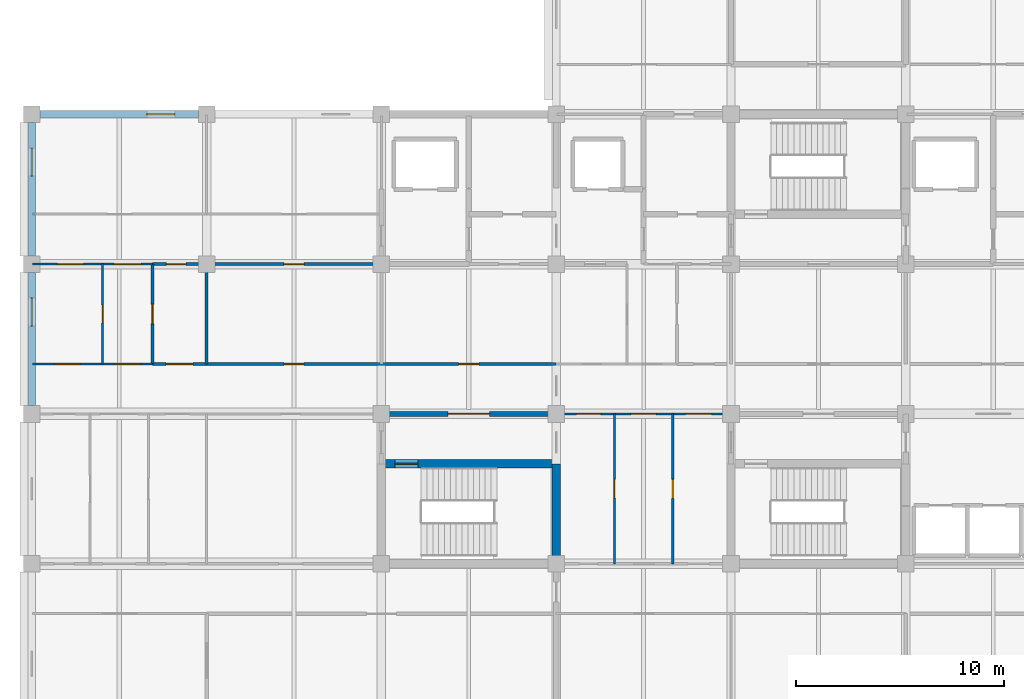
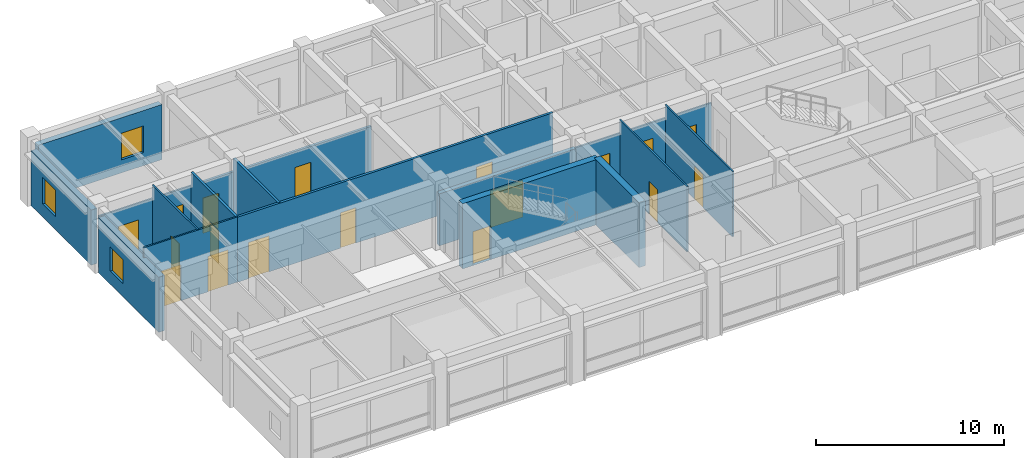
# One storey, part 15 of 30: 18 doors, 16 walls, 3 windows, 21 openings.
"""IFC4 building model written with IfcOpenShell, lengths in metres."""

from ifc_helpers import new_model, si_unit, direction, frame, frame_2d, origin, place, context, subcontext, project, spatial, rectangle, extrude, material, layer, layer_set, type_object, element, fill, save


model = new_model("IFC4")

# Units and contexts
model_context = context("Model", 3, precision=1e-05, world=origin(), true_north=direction((0.0, 1.0)))
body_context = subcontext(model_context, "Body", "Model", "MODEL_VIEW")
ifc_project = project(units=[si_unit("LENGTHUNIT", "METRE"), si_unit("AREAUNIT", "SQUARE_METRE"), si_unit("VOLUMEUNIT", "CUBIC_METRE"), si_unit("PLANEANGLEUNIT", "RADIAN"), si_unit("MASSUNIT", "GRAM", prefix="KILO")], contexts=[model_context])

# Site, building, storey
site_placement = place(None, origin())
site = spatial("IfcSite", under=ifc_project, at=site_placement, CompositionType="ELEMENT")
building_placement = place(site_placement, origin())
building = spatial("IfcBuilding", under=site, at=building_placement, Name="Chengyuan Square Courthouse", CompositionType="ELEMENT")
storey_placement = place(building_placement, frame((0.0, 0.0, 26.10009765625)))
storey = spatial("IfcBuildingStorey", under=building, at=storey_placement, Name="L06", CompositionType="ELEMENT", Elevation=26.10009765625)

# Wall, opening, window
ifc_material_1 = material(Name="Concrete C40", Category="concrete")
ifc_layer_1 = layer(ifc_material_1, 0.35009765625)
ifc_layer_set_1 = layer_set([ifc_layer_1], Name="Concrete C40")
wall_type_1 = type_object("IfcWallType", Name="WL-EW2", PredefinedType="STANDARD", material=ifc_layer_set_1)
wall_1_placement = place(storey_placement, frame((25.199951171875, 93.9951171875, 0.0), z_axis=(0.0, 0.0, 1.0), x_axis=(0.0, 1.0, 0.0)))
wall_1 = element("IfcWall", 1, at=wall_1_placement, inside=storey, type_object=wall_type_1, Name="Exterior Wall WL-L06-E359", PredefinedType="STANDARD", context=body_context, shape_type="SweptSolid", body=[
    extrude(rectangle(XDim=6.409912109375, YDim=0.35009765625, at=frame_2d((3.205078125, 0.0))), origin(), (0.0, 0.0, 1.0), 3.58984375),
])
opening_1_placement = place(wall_1_placement, frame((3.830078125, 0.0, 0.85009765625)))
opening_1 = element("IfcOpeningElement", 2, at=opening_1_placement, cuts=wall_1, Name="Opening WN-125", PredefinedType="OPENING", context=body_context, shape_type="SweptSolid", body=[
    extrude(rectangle(XDim=1.35009765625, YDim=1.56005859375, at=frame_2d((0.675048828125, 0.780029296875))), frame((0.0, 0.18701171875, 0.0), z_axis=(0.0, -1.0, 0.0), x_axis=(1.0, 0.0, 0.0)), (0.0, 0.0, 1.0), 0.3740234375),
])
ifc_material_2 = material(Name="Thermally Broken Aluminium Triple Low-E Window", Category="aluminium")
window_type_1 = type_object("IfcWindowType", Name="WT-21", PartitioningType="SINGLE_PANEL", PredefinedType="WINDOW", material=ifc_material_2)
window_1_placement = place(opening_1_placement, origin())
window_1 = element("IfcWindow", 3, at=window_1_placement, inside=storey, type_object=window_type_1, Name="Facade Window WN-125", OverallHeight=1.56005859375, OverallWidth=1.35009765625, PartitioningType="SINGLE_PANEL", PredefinedType="WINDOW", context=body_context, shape_type="SweptSolid", body=[
    extrude(rectangle(XDim=1.35009765625, YDim=1.56005859375, at=frame_2d((0.675048828125, 0.780029296875))), frame((0.0, 0.030029296875, 0.0), z_axis=(0.0, -1.0, 0.0), x_axis=(1.0, 0.0, 0.0)), (0.0, 0.0, 1.0), 0.06005859375),
])
fill(opening_1, window_1)

wall_2_placement = place(storey_placement, frame((25.594970703125, 108.0, 0.0), z_axis=(0.0, 0.0, 1.0), x_axis=(1.0, 0.0, 0.0)))
wall_2 = element("IfcWall", 4, at=wall_2_placement, inside=storey, type_object=wall_type_1, Name="Exterior Wall WL-L06-E360", PredefinedType="STANDARD", context=body_context, shape_type="SweptSolid", body=[
    extrude(rectangle(XDim=7.610107421875, YDim=0.35009765625, at=frame_2d((3.80517578125, 0.0))), origin(), (0.0, 0.0, 1.0), 3.58984375),
])
opening_2_placement = place(wall_2_placement, frame((5.1298828125, 0.0, 0.85009765625)))
opening_2 = element("IfcOpeningElement", 5, at=opening_2_placement, cuts=wall_2, Name="Opening WN-126", PredefinedType="OPENING", context=body_context, shape_type="SweptSolid", body=[
    extrude(rectangle(XDim=1.35009765625, YDim=1.739990234375, at=frame_2d((0.675048828125, 0.8701171875))), frame((0.0, 0.18701171875, 0.0), z_axis=(0.0, -1.0, 0.0), x_axis=(1.0, 0.0, 0.0)), (0.0, 0.0, 1.0), 0.3740234375),
])
window_type_2 = type_object("IfcWindowType", Name="WT-22", PartitioningType="SINGLE_PANEL", PredefinedType="WINDOW", material=ifc_material_2)
window_2_placement = place(opening_2_placement, origin())
window_2 = element("IfcWindow", 6, at=window_2_placement, inside=storey, type_object=window_type_2, Name="Facade Window WN-126", OverallHeight=1.739990234375, OverallWidth=1.35009765625, PartitioningType="SINGLE_PANEL", PredefinedType="WINDOW", context=body_context, shape_type="SweptSolid", body=[
    extrude(rectangle(XDim=1.35009765625, YDim=1.739990234375, at=frame_2d((0.675048828125, 0.8701171875))), frame((0.0, 0.030029296875, 0.0), z_axis=(0.0, -1.0, 0.0), x_axis=(1.0, 0.0, 0.0)), (0.0, 0.0, 1.0), 0.06005859375),
])
fill(opening_2, window_2)

wall_3_placement = place(storey_placement, frame((25.199951171875, 101.195068359375, 0.0), z_axis=(0.0, 0.0, 1.0), x_axis=(0.0, 1.0, 0.0)))
wall_3 = element("IfcWall", 7, at=wall_3_placement, inside=storey, type_object=wall_type_1, Name="Exterior Wall WL-L06-E361", PredefinedType="STANDARD", context=body_context, shape_type="SweptSolid", body=[
    extrude(rectangle(XDim=6.409912109375, YDim=0.35009765625, at=frame_2d((3.205078125, 0.0))), origin(), (0.0, 0.0, 1.0), 3.58984375),
])
opening_3_placement = place(wall_3_placement, frame((3.830078125, 0.0, 0.85009765625)))
opening_3 = element("IfcOpeningElement", 8, at=opening_3_placement, cuts=wall_3, Name="Opening WN-127", PredefinedType="OPENING", context=body_context, shape_type="SweptSolid", body=[
    extrude(rectangle(XDim=1.35009765625, YDim=1.739990234375, at=frame_2d((0.675048828125, 0.8701171875))), frame((0.0, 0.18701171875, 0.0), z_axis=(0.0, -1.0, 0.0), x_axis=(1.0, 0.0, 0.0)), (0.0, 0.0, 1.0), 0.3740234375),
])
window_3_placement = place(opening_3_placement, origin())
window_3 = element("IfcWindow", 9, at=window_3_placement, inside=storey, type_object=window_type_2, Name="Facade Window WN-127", OverallHeight=1.739990234375, OverallWidth=1.35009765625, PartitioningType="SINGLE_PANEL", PredefinedType="WINDOW", context=body_context, shape_type="SweptSolid", body=[
    extrude(rectangle(XDim=1.35009765625, YDim=1.739990234375, at=frame_2d((0.675048828125, 0.8701171875))), frame((0.0, 0.030029296875, 0.0), z_axis=(0.0, -1.0, 0.0), x_axis=(1.0, 0.0, 0.0)), (0.0, 0.0, 1.0), 0.06005859375),
])
fill(opening_3, window_3)

# Wall, opening, door
ifc_layer_2 = layer(ifc_material_1, 0.25)
ifc_layer_set_2 = layer_set([ifc_layer_2], Name="Concrete C40")
wall_type_2 = type_object("IfcWallType", Name="WL-FW1", PredefinedType="STANDARD", material=ifc_layer_set_2)
wall_4_placement = place(storey_placement, frame((42.0, 93.60009765625, 0.0), z_axis=(0.0, 0.0, 1.0), x_axis=(1.0, 0.0, 0.0)))
wall_4 = element("IfcWall", 10, at=wall_4_placement, inside=storey, type_object=wall_type_2, Name="Interior Wall WL-L06-I2392", PredefinedType="STANDARD", context=body_context, shape_type="SweptSolid", body=[
    extrude(rectangle(XDim=8.39990234375, YDim=0.25, at=frame_2d((4.199951171875, 0.0))), origin(), (0.0, 0.0, 1.0), 3.389892578125),
])
opening_4_placement = place(wall_4_placement, frame((3.199951171875, 0.0, 0.0)))
opening_4 = element("IfcOpeningElement", 11, at=opening_4_placement, cuts=wall_4, Name="Opening DR-2129", PredefinedType="OPENING", context=body_context, shape_type="SweptSolid", body=[
    extrude(rectangle(XDim=2.0, YDim=2.39990234375, at=frame_2d((1.0, 1.199951171875))), frame((0.0, 0.136962890625, 0.0), z_axis=(0.0, -1.0, 0.0), x_axis=(1.0, 0.0, 0.0)), (0.0, 0.0, 1.0), 0.27392578125),
])
ifc_material_3 = material(Name="Steel Q235B Glazed Fire Door", Category="steel")
door_type_1 = type_object("IfcDoorType", Name="DT-20", OperationType="DOUBLE_DOOR_SINGLE_SWING", PredefinedType="DOOR", material=ifc_material_3)
door_1_placement = place(opening_4_placement, frame((2.0, 0.0, 0.0), z_axis=(0.0, 0.0, 1.0), x_axis=(-1.0, 0.0, 0.0)))
door_1 = element("IfcDoor", 12, at=door_1_placement, inside=storey, type_object=door_type_1, Name="Interior Door DR-2129", OperationType="DOUBLE_DOOR_SINGLE_SWING", OverallHeight=2.39990234375, OverallWidth=2.0, PredefinedType="DOOR", context=body_context, shape_type="SweptSolid", body=[
    extrude(rectangle(XDim=2.0, YDim=2.39990234375, at=frame_2d((1.0, 1.199951171875))), frame((0.0, 0.02490234375, 0.0), z_axis=(0.0, -1.0, 0.0), x_axis=(1.0, 0.0, 0.0)), (0.0, 0.0, 1.0), 0.050048828125),
])
fill(opening_4, door_1)

# Wall, openings, doors
ifc_material_4 = material(Name="Deliberation Room Sound-Insulated Partition")
ifc_layer_3 = layer(ifc_material_4, 0.14990234375)
ifc_layer_set_3 = layer_set([ifc_layer_3], Name="Deliberation Room Sound-Insulated Partition")
wall_type_3 = type_object("IfcWallType", Name="WL-PT3", PredefinedType="STANDARD", material=ifc_layer_set_3)
wall_5_placement = place(storey_placement, frame((31.0, 96.0, 0.0), z_axis=(0.0, 0.0, 1.0), x_axis=(1.0, 0.0, 0.0)))
wall_5 = element("IfcWall", 13, at=wall_5_placement, inside=storey, type_object=wall_type_3, Name="Interior Wall WL-L06-I2401", PredefinedType="STANDARD", context=body_context, shape_type="SweptSolid", body=[
    extrude(rectangle(XDim=19.39990234375, YDim=0.14990234375, at=frame_2d((9.699951171875, 0.0))), origin(), (0.0, 0.0, 1.0), 4.239990234375),
])
opening_5_placement = place(wall_5_placement, frame((0.659912109375, 0.0, 0.0)))
opening_5 = element("IfcOpeningElement", 14, at=opening_5_placement, cuts=wall_5, Name="Opening DR-2198", PredefinedType="OPENING", context=body_context, shape_type="SweptSolid", body=[
    extrude(rectangle(XDim=1.280029296875, YDim=2.35009765625, at=frame_2d((0.64013671875, 1.175048828125))), frame((0.0, 0.0869140625, 0.0), z_axis=(0.0, -1.0, 0.0), x_axis=(1.0, 0.0, 0.0)), (0.0, 0.0, 1.0), 0.173828125),
])
opening_6_placement = place(wall_5_placement, frame((6.330078125, 0.0, 0.0)))
opening_6 = element("IfcOpeningElement", 15, at=opening_6_placement, cuts=wall_5, Name="Opening DR-2199", PredefinedType="OPENING", context=body_context, shape_type="SweptSolid", body=[
    extrude(rectangle(XDim=0.93994140625, YDim=2.300048828125, at=frame_2d((0.469970703125, 1.14990234375))), frame((0.0, 0.0869140625, 0.0), z_axis=(0.0, -1.0, 0.0), x_axis=(1.0, 0.0, 0.0)), (0.0, 0.0, 1.0), 0.173828125),
])
opening_7_placement = place(wall_5_placement, frame((14.7099609375, 0.0, 0.0)))
opening_7 = element("IfcOpeningElement", 16, at=opening_7_placement, cuts=wall_5, Name="Opening DR-2200", PredefinedType="OPENING", context=body_context, shape_type="SweptSolid", body=[
    extrude(rectangle(XDim=0.97998046875, YDim=2.35009765625, at=frame_2d((0.489990234375, 1.175048828125))), frame((0.0, 0.0869140625, 0.0), z_axis=(0.0, -1.0, 0.0), x_axis=(1.0, 0.0, 0.0)), (0.0, 0.0, 1.0), 0.173828125),
])
ifc_material_5 = material(Name="Acoustic Solid-Core Timber Door", Category="wood")
door_type_2 = type_object("IfcDoorType", Name="DT-38", OperationType="NOTDEFINED", PredefinedType="DOOR", material=ifc_material_5)
door_2_placement = place(opening_5_placement, origin())
door_2 = element("IfcDoor", 17, at=door_2_placement, inside=storey, type_object=door_type_2, Name="Interior Door DR-2198", OperationType="SINGLE_SWING_RIGHT", OverallHeight=2.35009765625, OverallWidth=1.280029296875, PredefinedType="DOOR", context=body_context, shape_type="SweptSolid", body=[
    extrude(rectangle(XDim=1.280029296875, YDim=2.35009765625, at=frame_2d((0.64013671875, 1.175048828125))), frame((0.0, 0.02490234375, 0.0), z_axis=(0.0, -1.0, 0.0), x_axis=(1.0, 0.0, 0.0)), (0.0, 0.0, 1.0), 0.050048828125),
])
fill(opening_5, door_2)
door_type_3 = type_object("IfcDoorType", Name="DT-39", OperationType="NOTDEFINED", PredefinedType="DOOR", material=ifc_material_5)
door_3_placement = place(opening_6_placement, origin())
door_3 = element("IfcDoor", 18, at=door_3_placement, inside=storey, type_object=door_type_3, Name="Interior Door DR-2199", OperationType="SINGLE_SWING_LEFT", OverallHeight=2.300048828125, OverallWidth=0.93994140625, PredefinedType="DOOR", context=body_context, shape_type="SweptSolid", body=[
    extrude(rectangle(XDim=0.93994140625, YDim=2.300048828125, at=frame_2d((0.469970703125, 1.14990234375))), frame((0.0, 0.02490234375, 0.0), z_axis=(0.0, -1.0, 0.0), x_axis=(1.0, 0.0, 0.0)), (0.0, 0.0, 1.0), 0.050048828125),
])
fill(opening_6, door_3)
door_type_4 = type_object("IfcDoorType", Name="DT-40", OperationType="NOTDEFINED", PredefinedType="DOOR", material=ifc_material_5)
door_4_placement = place(opening_7_placement, origin())
door_4 = element("IfcDoor", 19, at=door_4_placement, inside=storey, type_object=door_type_4, Name="Interior Door DR-2200", OperationType="SINGLE_SWING_RIGHT", OverallHeight=2.35009765625, OverallWidth=0.97998046875, PredefinedType="DOOR", context=body_context, shape_type="SweptSolid", body=[
    extrude(rectangle(XDim=0.97998046875, YDim=2.35009765625, at=frame_2d((0.489990234375, 1.175048828125))), frame((0.0, 0.02490234375, 0.0), z_axis=(0.0, -1.0, 0.0), x_axis=(1.0, 0.0, 0.0)), (0.0, 0.0, 1.0), 0.050048828125),
])
fill(opening_7, door_4)

wall_6_placement = place(storey_placement, frame((31.0, 100.800048828125, 0.0), z_axis=(0.0, 0.0, 1.0), x_axis=(1.0, 0.0, 0.0)))
wall_6 = element("IfcWall", 20, at=wall_6_placement, inside=storey, type_object=wall_type_3, Name="Interior Wall WL-L06-I2411", PredefinedType="STANDARD", context=body_context, shape_type="SweptSolid", body=[
    extrude(rectangle(XDim=11.0, YDim=0.14990234375, at=frame_2d((5.5, 0.0))), origin(), (0.0, 0.0, 1.0), 3.389892578125),
])
opening_8_placement = place(wall_6_placement, frame((0.669921875, 0.0, 0.0)))
opening_8 = element("IfcOpeningElement", 21, at=opening_8_placement, cuts=wall_6, Name="Opening DR-2182", PredefinedType="OPENING", context=body_context, shape_type="SweptSolid", body=[
    extrude(rectangle(XDim=0.93994140625, YDim=2.300048828125, at=frame_2d((0.469970703125, 1.14990234375))), frame((0.0, 0.0869140625, 0.0), z_axis=(0.0, -1.0, 0.0), x_axis=(1.0, 0.0, 0.0)), (0.0, 0.0, 1.0), 0.173828125),
])
opening_9_placement = place(wall_6_placement, frame((6.31005859375, 0.0, 0.0)))
opening_9 = element("IfcOpeningElement", 22, at=opening_9_placement, cuts=wall_6, Name="Opening DR-2183", PredefinedType="OPENING", context=body_context, shape_type="SweptSolid", body=[
    extrude(rectangle(XDim=0.97998046875, YDim=2.35009765625, at=frame_2d((0.489990234375, 1.175048828125))), frame((0.0, 0.0869140625, 0.0), z_axis=(0.0, -1.0, 0.0), x_axis=(1.0, 0.0, 0.0)), (0.0, 0.0, 1.0), 0.173828125),
])
door_5_placement = place(opening_8_placement, origin())
door_5 = element("IfcDoor", 23, at=door_5_placement, inside=storey, type_object=door_type_3, Name="Interior Door DR-2182", OperationType="SINGLE_SWING_LEFT", OverallHeight=2.300048828125, OverallWidth=0.93994140625, PredefinedType="DOOR", context=body_context, shape_type="SweptSolid", body=[
    extrude(rectangle(XDim=0.93994140625, YDim=2.300048828125, at=frame_2d((0.469970703125, 1.14990234375))), frame((0.0, 0.02490234375, 0.0), z_axis=(0.0, -1.0, 0.0), x_axis=(1.0, 0.0, 0.0)), (0.0, 0.0, 1.0), 0.050048828125),
])
fill(opening_8, door_5)
door_6_placement = place(opening_9_placement, origin())
door_6 = element("IfcDoor", 24, at=door_6_placement, inside=storey, type_object=door_type_4, Name="Interior Door DR-2183", OperationType="SINGLE_SWING_RIGHT", OverallHeight=2.35009765625, OverallWidth=0.97998046875, PredefinedType="DOOR", context=body_context, shape_type="SweptSolid", body=[
    extrude(rectangle(XDim=0.97998046875, YDim=2.35009765625, at=frame_2d((0.489990234375, 1.175048828125))), frame((0.0, 0.02490234375, 0.0), z_axis=(0.0, -1.0, 0.0), x_axis=(1.0, 0.0, 0.0)), (0.0, 0.0, 1.0), 0.050048828125),
])
fill(opening_9, door_6)

# Wall, opening, door
wall_7_placement = place(storey_placement, frame((31.0, 96.0, 0.0), z_axis=(0.0, 0.0, 1.0), x_axis=(0.0, 1.0, 0.0)))
wall_7 = element("IfcWall", 25, at=wall_7_placement, inside=storey, type_object=wall_type_3, Name="Interior Wall WL-L06-I2483", PredefinedType="STANDARD", context=body_context, shape_type="SweptSolid", body=[
    extrude(rectangle(XDim=4.800048828125, YDim=0.14990234375, at=frame_2d((2.39990234375, 0.0))), origin(), (0.0, 0.0, 1.0), 4.239990234375),
])
opening_10_placement = place(wall_7_placement, frame((1.93994140625, 0.0, 0.0)))
opening_10 = element("IfcOpeningElement", 26, at=opening_10_placement, cuts=wall_7, Name="Opening DR-2240", PredefinedType="OPENING", context=body_context, shape_type="SweptSolid", body=[
    extrude(rectangle(XDim=0.919921875, YDim=2.14990234375, at=frame_2d((0.4599609375, 1.074951171875))), frame((0.0, 0.0869140625, 0.0), z_axis=(0.0, -1.0, 0.0), x_axis=(1.0, 0.0, 0.0)), (0.0, 0.0, 1.0), 0.173828125),
])
door_type_5 = type_object("IfcDoorType", Name="DT-29", OperationType="NOTDEFINED", PredefinedType="DOOR", material=ifc_material_5)
door_7_placement = place(opening_10_placement, origin())
door_7 = element("IfcDoor", 27, at=door_7_placement, inside=storey, type_object=door_type_5, Name="Interior Door DR-2240", OperationType="SINGLE_SWING_RIGHT", OverallHeight=2.14990234375, OverallWidth=0.919921875, PredefinedType="DOOR", context=body_context, shape_type="SweptSolid", body=[
    extrude(rectangle(XDim=0.919921875, YDim=2.14990234375, at=frame_2d((0.4599609375, 1.074951171875))), frame((0.0, 0.02490234375, 0.0), z_axis=(0.0, -1.0, 0.0), x_axis=(1.0, 0.0, 0.0)), (0.0, 0.0, 1.0), 0.050048828125),
])
fill(opening_10, door_7)

# Wall
wall_8_placement = place(storey_placement, frame((33.60009765625, 96.0, 0.0), z_axis=(0.0, 0.0, 1.0), x_axis=(0.0, 1.0, 0.0)))
element("IfcWall", 28, at=wall_8_placement, inside=storey, type_object=wall_type_3, Name="Interior Wall WL-L06-I2486", PredefinedType="STANDARD", context=body_context, shape_type="SweptSolid", body=[
    extrude(rectangle(XDim=4.800048828125, YDim=0.14990234375, at=frame_2d((2.39990234375, 0.0))), origin(), (0.0, 0.0, 1.0), 4.239990234375),
])

# Wall, openings, doors
ifc_material_6 = material(Name="Gypsum Plasterboard Acoustic Stud Partition")
ifc_layer_4 = layer(ifc_material_6, 0.10009765625)
ifc_layer_set_4 = layer_set([ifc_layer_4], Name="Gypsum Plasterboard Acoustic Stud Partition")
wall_type_4 = type_object("IfcWallType", Name="WL-PT6", PredefinedType="STANDARD", material=ifc_layer_set_4)
wall_9_placement = place(storey_placement, frame((50.39990234375, 93.60009765625, 0.0), z_axis=(0.0, 0.0, 1.0), x_axis=(1.0, 0.0, 0.0)))
wall_9 = element("IfcWall", 29, at=wall_9_placement, inside=storey, type_object=wall_type_4, Name="Interior Wall WL-L06-I2393", PredefinedType="STANDARD", context=body_context, shape_type="SweptSolid", body=[
    extrude(rectangle(XDim=8.400146484375, YDim=0.10009765625, at=frame_2d((4.2001953125, 0.0))), origin(), (0.0, 0.0, 1.0), 3.389892578125),
])
opening_11_placement = place(wall_9_placement, frame((0.97998046875, 0.0, 0.0)))
opening_11 = element("IfcOpeningElement", 30, at=opening_11_placement, cuts=wall_9, Name="Opening DR-2212", PredefinedType="OPENING", context=body_context, shape_type="SweptSolid", body=[
    extrude(rectangle(XDim=1.159912109375, YDim=2.300048828125, at=frame_2d((0.580078125, 1.14990234375))), frame((0.0, 0.06201171875, 0.0), z_axis=(0.0, -1.0, 0.0), x_axis=(1.0, 0.0, 0.0)), (0.0, 0.0, 1.0), 0.1240234375),
])
opening_12_placement = place(wall_9_placement, frame((3.60009765625, 0.0, 0.0)))
opening_12 = element("IfcOpeningElement", 31, at=opening_12_placement, cuts=wall_9, Name="Opening DR-2213", PredefinedType="OPENING", context=body_context, shape_type="SweptSolid", body=[
    extrude(rectangle(XDim=1.199951171875, YDim=2.35009765625, at=frame_2d((0.60009765625, 1.175048828125))), frame((0.0, 0.06201171875, 0.0), z_axis=(0.0, -1.0, 0.0), x_axis=(1.0, 0.0, 0.0)), (0.0, 0.0, 1.0), 0.1240234375),
])
opening_13_placement = place(wall_9_placement, frame((6.219970703125, 0.0, 0.0)))
opening_13 = element("IfcOpeningElement", 32, at=opening_13_placement, cuts=wall_9, Name="Opening DR-2214", PredefinedType="OPENING", context=body_context, shape_type="SweptSolid", body=[
    extrude(rectangle(XDim=1.239990234375, YDim=2.300048828125, at=frame_2d((0.6201171875, 1.14990234375))), frame((0.0, 0.06201171875, 0.0), z_axis=(0.0, -1.0, 0.0), x_axis=(1.0, 0.0, 0.0)), (0.0, 0.0, 1.0), 0.1240234375),
])
door_type_6 = type_object("IfcDoorType", Name="DT-35", OperationType="NOTDEFINED", PredefinedType="DOOR", material=ifc_material_5)
door_8_placement = place(opening_11_placement, origin())
door_8 = element("IfcDoor", 33, at=door_8_placement, inside=storey, type_object=door_type_6, Name="Interior Door DR-2212", OperationType="SINGLE_SWING_LEFT", OverallHeight=2.300048828125, OverallWidth=1.159912109375, PredefinedType="DOOR", context=body_context, shape_type="SweptSolid", body=[
    extrude(rectangle(XDim=1.159912109375, YDim=2.300048828125, at=frame_2d((0.580078125, 1.14990234375))), frame((0.0, 0.02490234375, 0.0), z_axis=(0.0, -1.0, 0.0), x_axis=(1.0, 0.0, 0.0)), (0.0, 0.0, 1.0), 0.050048828125),
])
fill(opening_11, door_8)
door_type_7 = type_object("IfcDoorType", Name="DT-36", OperationType="NOTDEFINED", PredefinedType="DOOR", material=ifc_material_5)
door_9_placement = place(opening_12_placement, origin())
door_9 = element("IfcDoor", 34, at=door_9_placement, inside=storey, type_object=door_type_7, Name="Interior Door DR-2213", OperationType="SINGLE_SWING_RIGHT", OverallHeight=2.35009765625, OverallWidth=1.199951171875, PredefinedType="DOOR", context=body_context, shape_type="SweptSolid", body=[
    extrude(rectangle(XDim=1.199951171875, YDim=2.35009765625, at=frame_2d((0.60009765625, 1.175048828125))), frame((0.0, 0.02490234375, 0.0), z_axis=(0.0, -1.0, 0.0), x_axis=(1.0, 0.0, 0.0)), (0.0, 0.0, 1.0), 0.050048828125),
])
fill(opening_12, door_9)
door_type_8 = type_object("IfcDoorType", Name="DT-37", OperationType="NOTDEFINED", PredefinedType="DOOR", material=ifc_material_5)
door_10_placement = place(opening_13_placement, origin())
door_10 = element("IfcDoor", 35, at=door_10_placement, inside=storey, type_object=door_type_8, Name="Interior Door DR-2214", OperationType="SINGLE_SWING_LEFT", OverallHeight=2.300048828125, OverallWidth=1.239990234375, PredefinedType="DOOR", context=body_context, shape_type="SweptSolid", body=[
    extrude(rectangle(XDim=1.239990234375, YDim=2.300048828125, at=frame_2d((0.6201171875, 1.14990234375))), frame((0.0, 0.02490234375, 0.0), z_axis=(0.0, -1.0, 0.0), x_axis=(1.0, 0.0, 0.0)), (0.0, 0.0, 1.0), 0.050048828125),
])
fill(opening_13, door_10)

wall_10_placement = place(storey_placement, frame((25.239990234375, 96.0, 0.0), z_axis=(0.0, 0.0, 1.0), x_axis=(1.0, 0.0, 0.0)))
wall_10 = element("IfcWall", 36, at=wall_10_placement, inside=storey, type_object=wall_type_4, Name="Interior Wall WL-L06-I2400", PredefinedType="STANDARD", context=body_context, shape_type="SweptSolid", body=[
    extrude(rectangle(XDim=5.760009765625, YDim=0.10009765625, at=frame_2d((2.8798828125, 0.0))), origin(), (0.0, 0.0, 1.0), 4.239990234375),
])
opening_14_placement = place(wall_10_placement, frame((1.080078125, 0.0, 0.0)))
opening_14 = element("IfcOpeningElement", 37, at=opening_14_placement, cuts=wall_10, Name="Opening DR-2196", PredefinedType="OPENING", context=body_context, shape_type="SweptSolid", body=[
    extrude(rectangle(XDim=1.199951171875, YDim=2.35009765625, at=frame_2d((0.60009765625, 1.175048828125))), frame((0.0, 0.06201171875, 0.0), z_axis=(0.0, -1.0, 0.0), x_axis=(1.0, 0.0, 0.0)), (0.0, 0.0, 1.0), 0.1240234375),
])
opening_15_placement = place(wall_10_placement, frame((3.93994140625, 0.0, 0.0)))
opening_15 = element("IfcOpeningElement", 38, at=opening_15_placement, cuts=wall_10, Name="Opening DR-2197", PredefinedType="OPENING", context=body_context, shape_type="SweptSolid", body=[
    extrude(rectangle(XDim=1.239990234375, YDim=2.300048828125, at=frame_2d((0.6201171875, 1.14990234375))), frame((0.0, 0.06201171875, 0.0), z_axis=(0.0, -1.0, 0.0), x_axis=(1.0, 0.0, 0.0)), (0.0, 0.0, 1.0), 0.1240234375),
])
door_11_placement = place(opening_14_placement, origin())
door_11 = element("IfcDoor", 39, at=door_11_placement, inside=storey, type_object=door_type_7, Name="Interior Door DR-2196", OperationType="SINGLE_SWING_RIGHT", OverallHeight=2.35009765625, OverallWidth=1.199951171875, PredefinedType="DOOR", context=body_context, shape_type="SweptSolid", body=[
    extrude(rectangle(XDim=1.199951171875, YDim=2.35009765625, at=frame_2d((0.60009765625, 1.175048828125))), frame((0.0, 0.02490234375, 0.0), z_axis=(0.0, -1.0, 0.0), x_axis=(1.0, 0.0, 0.0)), (0.0, 0.0, 1.0), 0.050048828125),
])
fill(opening_14, door_11)
door_12_placement = place(opening_15_placement, origin())
door_12 = element("IfcDoor", 40, at=door_12_placement, inside=storey, type_object=door_type_8, Name="Interior Door DR-2197", OperationType="SINGLE_SWING_LEFT", OverallHeight=2.300048828125, OverallWidth=1.239990234375, PredefinedType="DOOR", context=body_context, shape_type="SweptSolid", body=[
    extrude(rectangle(XDim=1.239990234375, YDim=2.300048828125, at=frame_2d((0.6201171875, 1.14990234375))), frame((0.0, 0.02490234375, 0.0), z_axis=(0.0, -1.0, 0.0), x_axis=(1.0, 0.0, 0.0)), (0.0, 0.0, 1.0), 0.050048828125),
])
fill(opening_15, door_12)

wall_11_placement = place(storey_placement, frame((25.239990234375, 100.800048828125, 0.0), z_axis=(0.0, 0.0, 1.0), x_axis=(1.0, 0.0, 0.0)))
wall_11 = element("IfcWall", 41, at=wall_11_placement, inside=storey, type_object=wall_type_4, Name="Interior Wall WL-L06-I2410", PredefinedType="STANDARD", context=body_context, shape_type="SweptSolid", body=[
    extrude(rectangle(XDim=5.760009765625, YDim=0.10009765625, at=frame_2d((2.8798828125, 0.0))), origin(), (0.0, 0.0, 1.0), 3.389892578125),
])
opening_16_placement = place(wall_11_placement, frame((1.199951171875, 0.0, 0.0)))
opening_16 = element("IfcOpeningElement", 42, at=opening_16_placement, cuts=wall_11, Name="Opening DR-2180", PredefinedType="OPENING", context=body_context, shape_type="SweptSolid", body=[
    extrude(rectangle(XDim=1.239990234375, YDim=2.300048828125, at=frame_2d((0.6201171875, 1.14990234375))), frame((0.0, 0.06201171875, 0.0), z_axis=(0.0, -1.0, 0.0), x_axis=(1.0, 0.0, 0.0)), (0.0, 0.0, 1.0), 0.1240234375),
])
opening_17_placement = place(wall_11_placement, frame((3.919921875, 0.0, 0.0)))
opening_17 = element("IfcOpeningElement", 43, at=opening_17_placement, cuts=wall_11, Name="Opening DR-2181", PredefinedType="OPENING", context=body_context, shape_type="SweptSolid", body=[
    extrude(rectangle(XDim=1.280029296875, YDim=2.35009765625, at=frame_2d((0.64013671875, 1.175048828125))), frame((0.0, 0.06201171875, 0.0), z_axis=(0.0, -1.0, 0.0), x_axis=(1.0, 0.0, 0.0)), (0.0, 0.0, 1.0), 0.1240234375),
])
door_13_placement = place(opening_16_placement, origin())
door_13 = element("IfcDoor", 44, at=door_13_placement, inside=storey, type_object=door_type_8, Name="Interior Door DR-2180", OperationType="SINGLE_SWING_LEFT", OverallHeight=2.300048828125, OverallWidth=1.239990234375, PredefinedType="DOOR", context=body_context, shape_type="SweptSolid", body=[
    extrude(rectangle(XDim=1.239990234375, YDim=2.300048828125, at=frame_2d((0.6201171875, 1.14990234375))), frame((0.0, 0.02490234375, 0.0), z_axis=(0.0, -1.0, 0.0), x_axis=(1.0, 0.0, 0.0)), (0.0, 0.0, 1.0), 0.050048828125),
])
fill(opening_16, door_13)
door_14_placement = place(opening_17_placement, origin())
door_14 = element("IfcDoor", 45, at=door_14_placement, inside=storey, type_object=door_type_2, Name="Interior Door DR-2181", OperationType="SINGLE_SWING_RIGHT", OverallHeight=2.35009765625, OverallWidth=1.280029296875, PredefinedType="DOOR", context=body_context, shape_type="SweptSolid", body=[
    extrude(rectangle(XDim=1.280029296875, YDim=2.35009765625, at=frame_2d((0.64013671875, 1.175048828125))), frame((0.0, 0.02490234375, 0.0), z_axis=(0.0, -1.0, 0.0), x_axis=(1.0, 0.0, 0.0)), (0.0, 0.0, 1.0), 0.050048828125),
])
fill(opening_17, door_14)

# Wall, opening, door
wall_12_placement = place(storey_placement, frame((28.60009765625, 96.0, 0.0), z_axis=(0.0, 0.0, 1.0), x_axis=(0.0, 1.0, 0.0)))
wall_12 = element("IfcWall", 46, at=wall_12_placement, inside=storey, type_object=wall_type_4, Name="Interior Wall WL-L06-I2481", PredefinedType="STANDARD", context=body_context, shape_type="SweptSolid", body=[
    extrude(rectangle(XDim=4.800048828125, YDim=0.10009765625, at=frame_2d((2.39990234375, 0.0))), origin(), (0.0, 0.0, 1.0), 4.239990234375),
])
opening_18_placement = place(wall_12_placement, frame((1.969970703125, 0.0, 0.0)))
opening_18 = element("IfcOpeningElement", 47, at=opening_18_placement, cuts=wall_12, Name="Opening DR-2239", PredefinedType="OPENING", context=body_context, shape_type="SweptSolid", body=[
    extrude(rectangle(XDim=0.860107421875, YDim=2.10009765625, at=frame_2d((0.43017578125, 1.050048828125))), frame((0.0, 0.06201171875, 0.0), z_axis=(0.0, -1.0, 0.0), x_axis=(1.0, 0.0, 0.0)), (0.0, 0.0, 1.0), 0.1240234375),
])
door_type_9 = type_object("IfcDoorType", Name="DT-28", OperationType="NOTDEFINED", PredefinedType="DOOR", material=ifc_material_5)
door_15_placement = place(opening_18_placement, origin())
door_15 = element("IfcDoor", 48, at=door_15_placement, inside=storey, type_object=door_type_9, Name="Interior Door DR-2239", OperationType="SINGLE_SWING_LEFT", OverallHeight=2.10009765625, OverallWidth=0.860107421875, PredefinedType="DOOR", context=body_context, shape_type="SweptSolid", body=[
    extrude(rectangle(XDim=0.860107421875, YDim=2.10009765625, at=frame_2d((0.43017578125, 1.050048828125))), frame((0.0, 0.02490234375, 0.0), z_axis=(0.0, -1.0, 0.0), x_axis=(1.0, 0.0, 0.0)), (0.0, 0.0, 1.0), 0.050048828125),
])
fill(opening_18, door_15)

wall_13_placement = place(storey_placement, frame((53.199951171875, 86.39990234375, 0.0), z_axis=(0.0, 0.0, 1.0), x_axis=(0.0, 1.0, 0.0)))
wall_13 = element("IfcWall", 49, at=wall_13_placement, inside=storey, type_object=wall_type_4, Name="Interior Wall WL-L06-I2502", PredefinedType="STANDARD", context=body_context, shape_type="SweptSolid", body=[
    extrude(rectangle(XDim=7.2001953125, YDim=0.10009765625, at=frame_2d((3.60009765625, 0.0))), origin(), (0.0, 0.0, 1.0), 4.239990234375),
])
opening_19_placement = place(wall_13_placement, frame((3.14990234375, 0.0, 0.0)))
opening_19 = element("IfcOpeningElement", 50, at=opening_19_placement, cuts=wall_13, Name="Opening DR-2255", PredefinedType="OPENING", context=body_context, shape_type="SweptSolid", body=[
    extrude(rectangle(XDim=0.89990234375, YDim=2.14990234375, at=frame_2d((0.449951171875, 1.074951171875))), frame((0.0, 0.06201171875, 0.0), z_axis=(0.0, -1.0, 0.0), x_axis=(1.0, 0.0, 0.0)), (0.0, 0.0, 1.0), 0.1240234375),
])
door_type_10 = type_object("IfcDoorType", Name="DT-27", OperationType="NOTDEFINED", PredefinedType="DOOR", material=ifc_material_5)
door_16_placement = place(opening_19_placement, origin())
door_16 = element("IfcDoor", 51, at=door_16_placement, inside=storey, type_object=door_type_10, Name="Interior Door DR-2255", OperationType="SINGLE_SWING_RIGHT", OverallHeight=2.14990234375, OverallWidth=0.89990234375, PredefinedType="DOOR", context=body_context, shape_type="SweptSolid", body=[
    extrude(rectangle(XDim=0.89990234375, YDim=2.14990234375, at=frame_2d((0.449951171875, 1.074951171875))), frame((0.0, 0.02490234375, 0.0), z_axis=(0.0, -1.0, 0.0), x_axis=(1.0, 0.0, 0.0)), (0.0, 0.0, 1.0), 0.050048828125),
])
fill(opening_19, door_16)

wall_14_placement = place(storey_placement, frame((56.0, 86.39990234375, 0.0), z_axis=(0.0, 0.0, 1.0), x_axis=(0.0, 1.0, 0.0)))
wall_14 = element("IfcWall", 52, at=wall_14_placement, inside=storey, type_object=wall_type_4, Name="Interior Wall WL-L06-I2507", PredefinedType="STANDARD", context=body_context, shape_type="SweptSolid", body=[
    extrude(rectangle(XDim=7.2001953125, YDim=0.10009765625, at=frame_2d((3.60009765625, 0.0))), origin(), (0.0, 0.0, 1.0), 4.239990234375),
])
opening_20_placement = place(wall_14_placement, frame((3.139892578125, 0.0, 0.0)))
opening_20 = element("IfcOpeningElement", 53, at=opening_20_placement, cuts=wall_14, Name="Opening DR-2257", PredefinedType="OPENING", context=body_context, shape_type="SweptSolid", body=[
    extrude(rectangle(XDim=0.919921875, YDim=2.14990234375, at=frame_2d((0.4599609375, 1.074951171875))), frame((0.0, 0.06201171875, 0.0), z_axis=(0.0, -1.0, 0.0), x_axis=(1.0, 0.0, 0.0)), (0.0, 0.0, 1.0), 0.1240234375),
])
door_17_placement = place(opening_20_placement, origin())
door_17 = element("IfcDoor", 54, at=door_17_placement, inside=storey, type_object=door_type_5, Name="Interior Door DR-2257", OperationType="SINGLE_SWING_RIGHT", OverallHeight=2.14990234375, OverallWidth=0.919921875, PredefinedType="DOOR", context=body_context, shape_type="SweptSolid", body=[
    extrude(rectangle(XDim=0.919921875, YDim=2.14990234375, at=frame_2d((0.4599609375, 1.074951171875))), frame((0.0, 0.02490234375, 0.0), z_axis=(0.0, -1.0, 0.0), x_axis=(1.0, 0.0, 0.0)), (0.0, 0.0, 1.0), 0.050048828125),
])
fill(opening_20, door_17)

ifc_material_7 = material(Name="Concrete C50", Category="concrete")
ifc_layer_5 = layer(ifc_material_7, 0.39990234375)
ifc_layer_set_5 = layer_set([ifc_layer_5], Name="Concrete C50")
wall_type_5 = type_object("IfcWallType", Name="WL-SW1", PredefinedType="SHEAR", material=ifc_layer_set_5)
wall_15_placement = place(storey_placement, frame((42.0, 91.199951171875, 0.0), z_axis=(0.0, 0.0, 1.0), x_axis=(1.0, 0.0, 0.0)))
wall_15 = element("IfcWall", 55, at=wall_15_placement, inside=storey, type_object=wall_type_5, Name="Interior Wall WL-L06-I2386", PredefinedType="SHEAR", context=body_context, shape_type="SweptSolid", body=[
    extrude(rectangle(XDim=8.39990234375, YDim=0.39990234375, at=frame_2d((4.199951171875, 0.0))), origin(), (0.0, 0.0, 1.0), 4.239990234375),
])
opening_21_placement = place(wall_15_placement, frame((0.64990234375, 0.0, 0.0)))
opening_21 = element("IfcOpeningElement", 56, at=opening_21_placement, cuts=wall_15, Name="Opening DR-2115", PredefinedType="OPENING", context=body_context, shape_type="SweptSolid", body=[
    extrude(rectangle(XDim=1.10009765625, YDim=2.199951171875, at=frame_2d((0.550048828125, 1.10009765625))), frame((0.0, 0.2119140625, 0.0), z_axis=(0.0, -1.0, 0.0), x_axis=(1.0, 0.0, 0.0)), (0.0, 0.0, 1.0), 0.423828125),
])
ifc_material_8 = material(Name="Steel Q235B Fire Door", Category="steel")
door_type_11 = type_object("IfcDoorType", Name="DT-10", OperationType="NOTDEFINED", PredefinedType="DOOR", material=ifc_material_8)
door_18_placement = place(opening_21_placement, frame((1.10009765625, 0.0, 0.0), z_axis=(0.0, 0.0, 1.0), x_axis=(-1.0, 0.0, 0.0)))
door_18 = element("IfcDoor", 57, at=door_18_placement, inside=storey, type_object=door_type_11, Name="Smoke-Proof Stairwell Fire Door ST-5 DR-2115", OperationType="SINGLE_SWING_LEFT", OverallHeight=2.199951171875, OverallWidth=1.10009765625, PredefinedType="DOOR", context=body_context, shape_type="SweptSolid", body=[
    extrude(rectangle(XDim=1.10009765625, YDim=2.199951171875, at=frame_2d((0.550048828125, 1.10009765625))), frame((0.0, 0.02490234375, 0.0), z_axis=(0.0, -1.0, 0.0), x_axis=(1.0, 0.0, 0.0)), (0.0, 0.0, 1.0), 0.050048828125),
])
fill(opening_21, door_18)

# Wall
wall_16_placement = place(storey_placement, frame((50.39990234375, 86.39990234375, 0.0), z_axis=(0.0, 0.0, 1.0), x_axis=(0.0, 1.0, 0.0)))
element("IfcWall", 58, at=wall_16_placement, inside=storey, type_object=wall_type_5, Name="Interior Wall WL-L06-I2498", PredefinedType="SHEAR", context=body_context, shape_type="SweptSolid", body=[
    extrude(rectangle(XDim=4.800048828125, YDim=0.39990234375, at=frame_2d((2.39990234375, 0.0))), origin(), (0.0, 0.0, 1.0), 4.239990234375),
])

save(model, "model.ifc")
